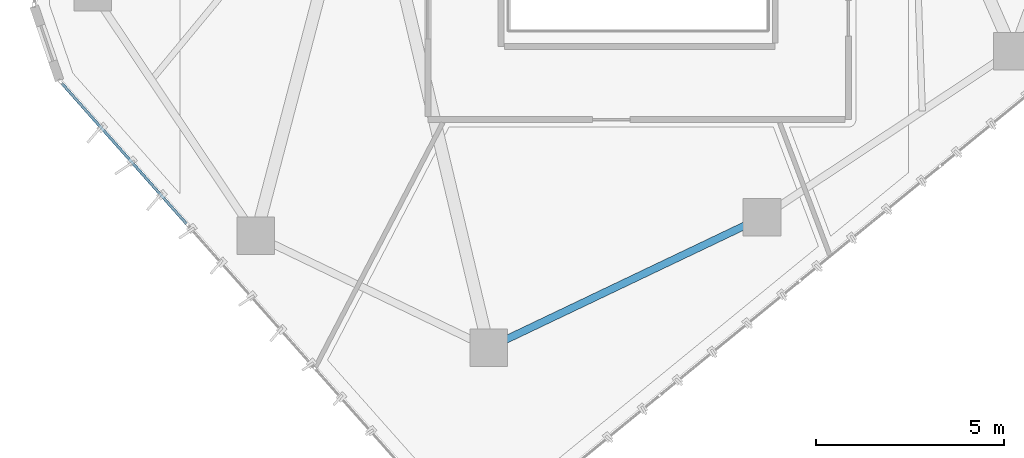
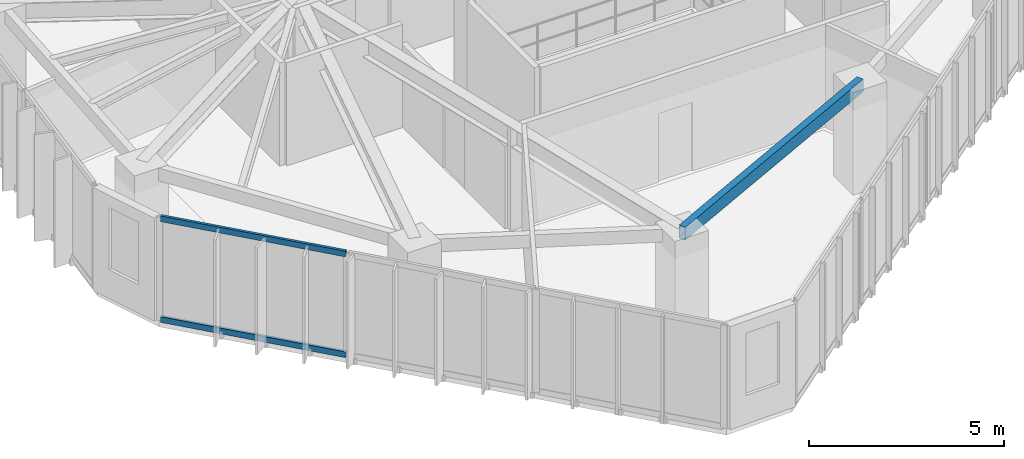
# One storey, part 3 of 22: 2 members, 1 beam, 1 element without a shape of its own.
"""IFC4 building model written with IfcOpenShell, lengths in metres."""

from ifc_helpers import new_model, si_unit, direction, frame, origin, origin_2d, place, context, subcontext, project, spatial, hollow_rectangle, extrude, source, transform, mapped, material, layer, layer_set, material_profile, profile_set, type_object, type_shapes, element, aggregate, save


model = new_model("IFC4")

# Units and contexts
model_context = context("Model", 3, precision=1e-05, world=origin(), true_north=direction((0.0, 1.0)))
body_context = subcontext(model_context, "Body", "Model", "MODEL_VIEW")
ifc_project = project(units=[si_unit("LENGTHUNIT", "METRE"), si_unit("AREAUNIT", "SQUARE_METRE"), si_unit("VOLUMEUNIT", "CUBIC_METRE"), si_unit("PLANEANGLEUNIT", "RADIAN"), si_unit("MASSUNIT", "GRAM", prefix="KILO")], contexts=[model_context])

# Site, building, storey
site_placement = place(None, origin())
site = spatial("IfcSite", under=ifc_project, at=site_placement, CompositionType="ELEMENT")
building_placement = place(site_placement, origin())
building = spatial("IfcBuilding", under=site, at=building_placement, Name="Talar Marvaseh", CompositionType="ELEMENT")
storey_placement = place(building_placement, frame((0.0, 0.0, 208.199951171875)))
storey = spatial("IfcBuildingStorey", under=building, at=storey_placement, Name="L54", CompositionType="ELEMENT", Elevation=208.199951171875)

# Beam
ifc_material_1 = material(Name="Steel S355", Category="steel")
ifc_material_profile_1 = material_profile(ifc_material_1, hollow_rectangle(XDim=0.199951171875, YDim=0.39990234375, WallThickness=0.013916015625, at=origin_2d()), Name="RHS400x200x14")
ifc_profile_set_1 = profile_set([ifc_material_profile_1], Name="Steel S355")
beam_type = type_object("IfcBeamType", Name="Zone 3 Perimeter Spandrel Beam RHS400x200x14", PredefinedType="SPANDREL", material=ifc_profile_set_1)
beam_placement = place(storey_placement, frame((29.299072265625, 14.993896484375, 3.030029296875), z_axis=(-0.902562267408, -0.430559349511, 0.0), x_axis=(0.430559349511, -0.902562267408, 0.0)))
element("IfcBeam", 1, at=beam_placement, inside=storey, type_object=beam_type, Name="L54 Zone 3 Perimeter Spandrel Beam RHS400x200x14", PredefinedType="SPANDREL", context=body_context, shape_type="SweptSolid", body=[
    extrude(hollow_rectangle(XDim=0.199951171875, YDim=0.39990234375, WallThickness=0.013916015625, at=origin_2d()), origin(), (0.0, 0.0, 1.0), 8.070556640625),
])

# Curtain wall, members
ifc_material_2 = material(Name="Architectural Aluminium", Category="aluminium")
ifc_layer = layer(ifc_material_2, 0.18994140625)
ifc_layer_set = layer_set([ifc_layer], Name="Architectural Aluminium")
curtain_wall_type = type_object("IfcCurtainWallType", Name="Unitised Solar Atelier Curtain Wall Z3", PredefinedType="NOTDEFINED", material=ifc_layer_set)
curtain_wall_placement = place(storey_placement, origin())
curtain_wall = element("IfcCurtainWall", 2, at=curtain_wall_placement, inside=storey, type_object=curtain_wall_type, Name="L54 Unitised Solar Atelier Curtain Wall Z3", PredefinedType="NOTDEFINED")
ifc_material_profile_2 = material_profile(ifc_material_2, hollow_rectangle(XDim=0.074951171875, YDim=0.179931640625, WallThickness=0.0048828125, at=origin_2d()), Name="RHS180x75x5")
ifc_profile_set_2 = profile_set([ifc_material_profile_2], Name="Architectural Aluminium")
member_type = type_object("IfcMemberType", Name="Unitised Curtain Wall Transom RHS180x75x5", PredefinedType="USERDEFINED", material=ifc_profile_set_2)
shared_shape = source(origin(), body_context, "Body", "SweptSolid", [
    extrude(hollow_rectangle(XDim=0.074951171875, YDim=0.179931640625, WallThickness=0.0048828125, at=origin_2d()), origin(), (0.0, 0.0, 1.0), 5.000732421875),
])
type_shapes(member_type, [shared_shape])
member_1_placement = place(storey_placement, frame((13.967529296875, 14.82666015625, 0.03759765625), z_axis=(-0.663872788382, 0.747845519373, 0.0), x_axis=(-0.747845519373, -0.663872788382, 0.0)))
member_1 = element("IfcMember", 3, at=member_1_placement, type_object=member_type, Name="CW-Z3 transom 3.1", ObjectType="TRANSOM", PredefinedType="USERDEFINED", context=body_context, shape_type="MappedRepresentation", body=[
    mapped(shared_shape, transform((0.0, 0.0, 0.0), x_axis=(1.0, 0.0, 0.0), y_axis=(0.0, 1.0, 0.0), z_axis=(0.0, 0.0, 1.0), scale=1.0)),
])
member_2_placement = place(storey_placement, frame((13.967529296875, 14.82666015625, 3.192626953125), z_axis=(-0.663872788382, 0.747845519373, 0.0), x_axis=(-0.747845519373, -0.663872788382, 0.0)))
member_2 = element("IfcMember", 4, at=member_2_placement, type_object=member_type, Name="CW-Z3 transom 3.2", ObjectType="TRANSOM", PredefinedType="USERDEFINED", context=body_context, shape_type="MappedRepresentation", body=[
    mapped(shared_shape, transform((0.0, 0.0, 0.0), x_axis=(1.0, 0.0, 0.0), y_axis=(0.0, 1.0, 0.0), z_axis=(0.0, 0.0, 1.0), scale=1.0)),
])
aggregate(curtain_wall, [member_1, member_2])

save(model, "model.ifc")
